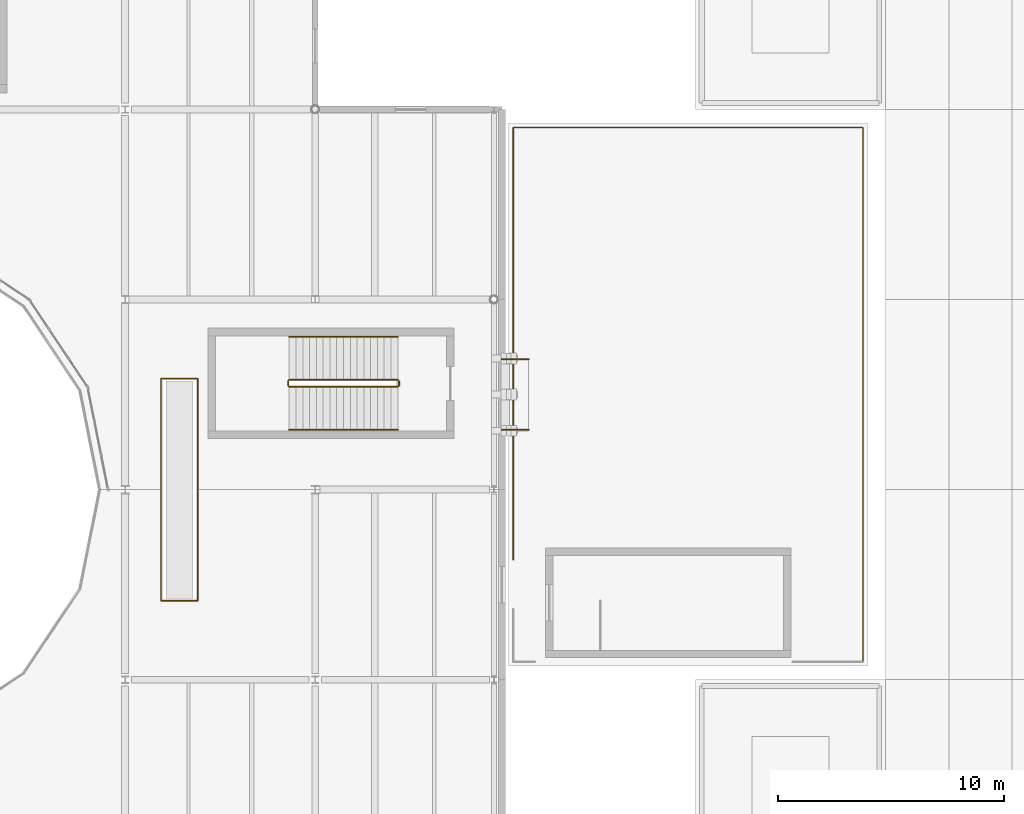
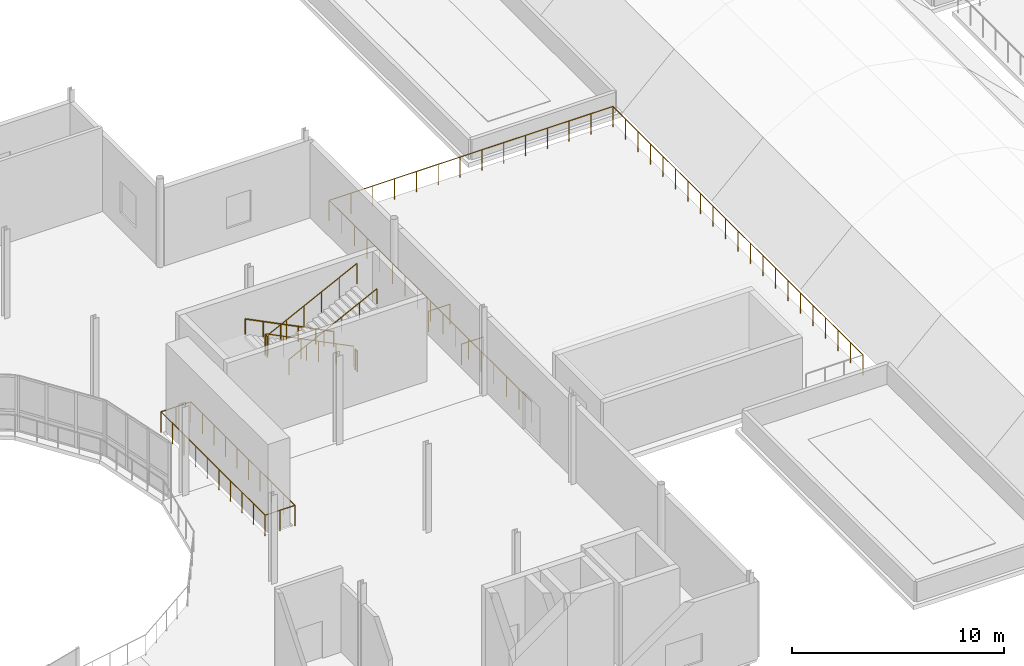
# One storey, part 81 of 91: 10 railings.
"""IFC4 building model written with IfcOpenShell, lengths in metres."""

from ifc_helpers import new_model, si_unit, direction, frame, origin, origin_2d, place, context, subcontext, project, spatial, circle, extrude, material, type_object, element, save


model = new_model("IFC4")

# Units and contexts
model_context = context("Model", 3, precision=1e-05, world=origin(), true_north=direction((0.0, 1.0)))
body_context = subcontext(model_context, "Body", "Model", "MODEL_VIEW")
ifc_project = project(units=[si_unit("LENGTHUNIT", "METRE"), si_unit("AREAUNIT", "SQUARE_METRE"), si_unit("VOLUMEUNIT", "CUBIC_METRE"), si_unit("PLANEANGLEUNIT", "RADIAN"), si_unit("MASSUNIT", "GRAM", prefix="KILO"), si_unit("THERMODYNAMICTEMPERATUREUNIT", "KELVIN")], contexts=[model_context])

# Site, building, storey
site_placement = place(None, origin())
site = spatial("IfcSite", under=ifc_project, at=site_placement, CompositionType="ELEMENT")
building_placement = place(site_placement, origin())
building = spatial("IfcBuilding", under=site, at=building_placement, Name="Lustrewick Department Store", CompositionType="ELEMENT")
storey_placement = place(building_placement, frame((0.0, 0.0, 21.60009765625)))
storey = spatial("IfcBuildingStorey", under=building, at=storey_placement, Name="L05", CompositionType="ELEMENT", Elevation=21.60009765625)

# Railings
ifc_material_1 = material(Name="Laminated safety glass and bronze atrium balustrade", Category="glass")
railing_type_1 = type_object("IfcRailingType", Name="RL-BAL", PredefinedType="BALUSTRADE", material=ifc_material_1)
railing_1_placement = place(storey_placement, frame((43.590087890625, 62.2900390625, 0.0)))
element("IfcRailing", 1, at=railing_1_placement, inside=storey, type_object=railing_type_1, Name="L05 V1 Escalator Well Balustrade 0047", PredefinedType="BALUSTRADE", context=body_context, shape_type="SweptSolid", body=[
    extrude(circle(Radius=0.02392578125, at=origin_2d()), frame((0.0, 0.0, 1.17578125), z_axis=(0.0, 1.0, 0.0), x_axis=(-1.0, 0.0, 0.0)), (0.0, 0.0, 1.0), 9.820068359375),
    extrude(circle(Radius=0.02392578125, at=origin_2d()), frame((0.0, 9.820068359375, 1.17578125), z_axis=(1.0, 0.0, 0.0), x_axis=(0.0, 1.0, 0.0)), (0.0, 0.0, 1.0), 1.619873046875),
    extrude(circle(Radius=0.02392578125, at=origin_2d()), frame((1.619873046875, 9.820068359375, 1.17578125), z_axis=(0.0, -1.0, 0.0), x_axis=(1.0, 0.0, 0.0)), (0.0, 0.0, 1.0), 9.820068359375),
    extrude(circle(Radius=0.02392578125, at=origin_2d()), frame((1.619873046875, 0.0, 1.17578125), z_axis=(-1.0, 0.0, 0.0), x_axis=(0.0, -1.0, 0.0)), (0.0, 0.0, 1.0), 1.619873046875),
    extrude(circle(Radius=0.02099609375, at=origin_2d()), origin(), (0.0, 0.0, 1.0), 1.15185546875),
    extrude(circle(Radius=0.02099609375, at=origin_2d()), frame((0.0, 1.091064453125, 0.0)), (0.0, 0.0, 1.0), 1.15185546875),
    extrude(circle(Radius=0.02099609375, at=origin_2d()), frame((0.0, 2.18212890625, 0.0)), (0.0, 0.0, 1.0), 1.15185546875),
    extrude(circle(Radius=0.02099609375, at=origin_2d()), frame((0.0, 3.2734375, 0.0)), (0.0, 0.0, 1.0), 1.15185546875),
    extrude(circle(Radius=0.02099609375, at=origin_2d()), frame((0.0, 4.364501953125, 0.0)), (0.0, 0.0, 1.0), 1.15185546875),
    extrude(circle(Radius=0.02099609375, at=origin_2d()), frame((0.0, 5.45556640625, 0.0)), (0.0, 0.0, 1.0), 1.15185546875),
    extrude(circle(Radius=0.02099609375, at=origin_2d()), frame((0.0, 6.546630859375, 0.0)), (0.0, 0.0, 1.0), 1.15185546875),
    extrude(circle(Radius=0.02099609375, at=origin_2d()), frame((0.0, 7.637939453125, 0.0)), (0.0, 0.0, 1.0), 1.15185546875),
    extrude(circle(Radius=0.02099609375, at=origin_2d()), frame((0.0, 8.72900390625, 0.0)), (0.0, 0.0, 1.0), 1.15185546875),
    extrude(circle(Radius=0.02099609375, at=origin_2d()), frame((0.0, 9.820068359375, 0.0)), (0.0, 0.0, 1.0), 1.15185546875),
    extrude(circle(Radius=0.02099609375, at=origin_2d()), frame((0.81005859375, 9.820068359375, 0.0)), (0.0, 0.0, 1.0), 1.15185546875),
    extrude(circle(Radius=0.02099609375, at=origin_2d()), frame((1.619873046875, 9.820068359375, 0.0)), (0.0, 0.0, 1.0), 1.15185546875),
    extrude(circle(Radius=0.02099609375, at=origin_2d()), frame((1.619873046875, 8.72900390625, 0.0)), (0.0, 0.0, 1.0), 1.15185546875),
    extrude(circle(Radius=0.02099609375, at=origin_2d()), frame((1.619873046875, 7.637939453125, 0.0)), (0.0, 0.0, 1.0), 1.15185546875),
    extrude(circle(Radius=0.02099609375, at=origin_2d()), frame((1.619873046875, 6.546630859375, 0.0)), (0.0, 0.0, 1.0), 1.15185546875),
    extrude(circle(Radius=0.02099609375, at=origin_2d()), frame((1.619873046875, 5.45556640625, 0.0)), (0.0, 0.0, 1.0), 1.15185546875),
    extrude(circle(Radius=0.02099609375, at=origin_2d()), frame((1.619873046875, 4.364501953125, 0.0)), (0.0, 0.0, 1.0), 1.15185546875),
    extrude(circle(Radius=0.02099609375, at=origin_2d()), frame((1.619873046875, 3.2734375, 0.0)), (0.0, 0.0, 1.0), 1.15185546875),
    extrude(circle(Radius=0.02099609375, at=origin_2d()), frame((1.619873046875, 2.18212890625, 0.0)), (0.0, 0.0, 1.0), 1.15185546875),
    extrude(circle(Radius=0.02099609375, at=origin_2d()), frame((1.619873046875, 1.091064453125, 0.0)), (0.0, 0.0, 1.0), 1.15185546875),
    extrude(circle(Radius=0.02099609375, at=origin_2d()), frame((1.619873046875, 0.0, 0.0)), (0.0, 0.0, 1.0), 1.15185546875),
    extrude(circle(Radius=0.02099609375, at=origin_2d()), frame((0.81005859375, 0.0, 0.0)), (0.0, 0.0, 1.0), 1.15185546875),
])
for number, where, name in (
    (2, (58.639892578125, 69.840087890625, 0.0), "L05 Skybridge SB12 South Guard 0048"),
    (3, (58.639892578125, 72.9599609375, 0.0), "L05 Skybridge SB12 North Guard 0049"),
):
    element("IfcRailing", number, at=place(storey_placement, frame(where)), inside=storey, type_object=railing_type_1, Name=name, PredefinedType="BALUSTRADE", context=body_context, shape_type="SweptSolid", body=[
        extrude(circle(Radius=0.02392578125, at=origin_2d()), frame((0.0, 0.0, 1.17578125), z_axis=(1.0, 0.0, 0.0), x_axis=(0.0, 1.0, 0.0)), (0.0, 0.0, 1.0), 1.190185546875),
        extrude(circle(Radius=0.02099609375, at=origin_2d()), origin(), (0.0, 0.0, 1.0), 1.15185546875),
        extrude(circle(Radius=0.02099609375, at=origin_2d()), frame((1.190185546875, 0.0, 0.0)), (0.0, 0.0, 1.0), 1.15185546875),
    ])
ifc_material_2 = material(Name="Laminated glass and anodized aluminium guardrail", Category="aluminium")
railing_type_2 = type_object("IfcRailingType", Name="RL-EXT", PredefinedType="GUARDRAIL", material=ifc_material_2)
railing_2_placement = place(storey_placement, frame((59.14990234375, 64.08935546875, 0.0)))
element("IfcRailing", 4, at=railing_2_placement, inside=storey, type_object=railing_type_2, Name="L05 Terrace Perimeter Guardrail 0008", PredefinedType="GUARDRAIL", context=body_context, shape_type="SweptSolid", body=[
    extrude(circle(Radius=0.02392578125, at=origin_2d()), frame((0.0, 0.0, 1.17578125), z_axis=(0.0, 1.0, 0.0), x_axis=(-1.0, 0.0, 0.0)), (0.0, 0.0, 1.0), 19.110595703125),
    extrude(circle(Radius=0.02392578125, at=origin_2d()), frame((0.0, 19.110595703125, 1.17578125), z_axis=(1.0, 0.0, 0.0), x_axis=(0.0, 1.0, 0.0)), (0.0, 0.0, 1.0), 15.4501953125),
    extrude(circle(Radius=0.02392578125, at=origin_2d()), frame((15.4501953125, 19.110595703125, 1.17578125), z_axis=(0.0, -1.0, 0.0), x_axis=(1.0, 0.0, 0.0)), (0.0, 0.0, 1.0), 23.599853515625),
    extrude(circle(Radius=0.02099609375, at=origin_2d()), origin(), (0.0, 0.0, 1.0), 1.15185546875),
    extrude(circle(Radius=0.02099609375, at=origin_2d()), frame((0.0, 1.1943359375, 0.0)), (0.0, 0.0, 1.0), 1.15185546875),
    extrude(circle(Radius=0.02099609375, at=origin_2d()), frame((0.0, 2.388916015625, 0.0)), (0.0, 0.0, 1.0), 1.15185546875),
    extrude(circle(Radius=0.02099609375, at=origin_2d()), frame((0.0, 3.583251953125, 0.0)), (0.0, 0.0, 1.0), 1.15185546875),
    extrude(circle(Radius=0.02099609375, at=origin_2d()), frame((0.0, 4.777587890625, 0.0)), (0.0, 0.0, 1.0), 1.15185546875),
    extrude(circle(Radius=0.02099609375, at=origin_2d()), frame((0.0, 5.97216796875, 0.0)), (0.0, 0.0, 1.0), 1.15185546875),
    extrude(circle(Radius=0.02099609375, at=origin_2d()), frame((0.0, 7.16650390625, 0.0)), (0.0, 0.0, 1.0), 1.15185546875),
    extrude(circle(Radius=0.02099609375, at=origin_2d()), frame((0.0, 8.36083984375, 0.0)), (0.0, 0.0, 1.0), 1.15185546875),
    extrude(circle(Radius=0.02099609375, at=origin_2d()), frame((0.0, 9.55517578125, 0.0)), (0.0, 0.0, 1.0), 1.15185546875),
    extrude(circle(Radius=0.02099609375, at=origin_2d()), frame((0.0, 10.749755859375, 0.0)), (0.0, 0.0, 1.0), 1.15185546875),
    extrude(circle(Radius=0.02099609375, at=origin_2d()), frame((0.0, 11.944091796875, 0.0)), (0.0, 0.0, 1.0), 1.15185546875),
    extrude(circle(Radius=0.02099609375, at=origin_2d()), frame((0.0, 13.138427734375, 0.0)), (0.0, 0.0, 1.0), 1.15185546875),
    extrude(circle(Radius=0.02099609375, at=origin_2d()), frame((0.0, 14.3330078125, 0.0)), (0.0, 0.0, 1.0), 1.15185546875),
    extrude(circle(Radius=0.02099609375, at=origin_2d()), frame((0.0, 15.52734375, 0.0)), (0.0, 0.0, 1.0), 1.15185546875),
    extrude(circle(Radius=0.02099609375, at=origin_2d()), frame((0.0, 16.7216796875, 0.0)), (0.0, 0.0, 1.0), 1.15185546875),
    extrude(circle(Radius=0.02099609375, at=origin_2d()), frame((0.0, 17.916259765625, 0.0)), (0.0, 0.0, 1.0), 1.15185546875),
    extrude(circle(Radius=0.02099609375, at=origin_2d()), frame((0.0, 19.110595703125, 0.0)), (0.0, 0.0, 1.0), 1.15185546875),
    extrude(circle(Radius=0.02099609375, at=origin_2d()), frame((1.1884765625, 19.110595703125, 0.0)), (0.0, 0.0, 1.0), 1.15185546875),
    extrude(circle(Radius=0.02099609375, at=origin_2d()), frame((2.376953125, 19.110595703125, 0.0)), (0.0, 0.0, 1.0), 1.15185546875),
    extrude(circle(Radius=0.02099609375, at=origin_2d()), frame((3.5654296875, 19.110595703125, 0.0)), (0.0, 0.0, 1.0), 1.15185546875),
    extrude(circle(Radius=0.02099609375, at=origin_2d()), frame((4.75390625, 19.110595703125, 0.0)), (0.0, 0.0, 1.0), 1.15185546875),
    extrude(circle(Radius=0.02099609375, at=origin_2d()), frame((5.9423828125, 19.110595703125, 0.0)), (0.0, 0.0, 1.0), 1.15185546875),
    extrude(circle(Radius=0.02099609375, at=origin_2d()), frame((7.130859375, 19.110595703125, 0.0)), (0.0, 0.0, 1.0), 1.15185546875),
    extrude(circle(Radius=0.02099609375, at=origin_2d()), frame((8.3193359375, 19.110595703125, 0.0)), (0.0, 0.0, 1.0), 1.15185546875),
    extrude(circle(Radius=0.02099609375, at=origin_2d()), frame((9.5078125, 19.110595703125, 0.0)), (0.0, 0.0, 1.0), 1.15185546875),
    extrude(circle(Radius=0.02099609375, at=origin_2d()), frame((10.6962890625, 19.110595703125, 0.0)), (0.0, 0.0, 1.0), 1.15185546875),
    extrude(circle(Radius=0.02099609375, at=origin_2d()), frame((11.884765625, 19.110595703125, 0.0)), (0.0, 0.0, 1.0), 1.15185546875),
    extrude(circle(Radius=0.02099609375, at=origin_2d()), frame((13.0732421875, 19.110595703125, 0.0)), (0.0, 0.0, 1.0), 1.15185546875),
    extrude(circle(Radius=0.02099609375, at=origin_2d()), frame((14.26171875, 19.110595703125, 0.0)), (0.0, 0.0, 1.0), 1.15185546875),
    extrude(circle(Radius=0.02099609375, at=origin_2d()), frame((15.4501953125, 19.110595703125, 0.0)), (0.0, 0.0, 1.0), 1.15185546875),
    extrude(circle(Radius=0.02099609375, at=origin_2d()), frame((15.4501953125, 17.9306640625, 0.0)), (0.0, 0.0, 1.0), 1.15185546875),
    extrude(circle(Radius=0.02099609375, at=origin_2d()), frame((15.4501953125, 16.75048828125, 0.0)), (0.0, 0.0, 1.0), 1.15185546875),
    extrude(circle(Radius=0.02099609375, at=origin_2d()), frame((15.4501953125, 15.570556640625, 0.0)), (0.0, 0.0, 1.0), 1.15185546875),
    extrude(circle(Radius=0.02099609375, at=origin_2d()), frame((15.4501953125, 14.390625, 0.0)), (0.0, 0.0, 1.0), 1.15185546875),
    extrude(circle(Radius=0.02099609375, at=origin_2d()), frame((15.4501953125, 13.210693359375, 0.0)), (0.0, 0.0, 1.0), 1.15185546875),
    extrude(circle(Radius=0.02099609375, at=origin_2d()), frame((15.4501953125, 12.03076171875, 0.0)), (0.0, 0.0, 1.0), 1.15185546875),
    extrude(circle(Radius=0.02099609375, at=origin_2d()), frame((15.4501953125, 10.8505859375, 0.0)), (0.0, 0.0, 1.0), 1.15185546875),
    extrude(circle(Radius=0.02099609375, at=origin_2d()), frame((15.4501953125, 9.670654296875, 0.0)), (0.0, 0.0, 1.0), 1.15185546875),
    extrude(circle(Radius=0.02099609375, at=origin_2d()), frame((15.4501953125, 8.49072265625, 0.0)), (0.0, 0.0, 1.0), 1.15185546875),
    extrude(circle(Radius=0.02099609375, at=origin_2d()), frame((15.4501953125, 7.310546875, 0.0)), (0.0, 0.0, 1.0), 1.15185546875),
    extrude(circle(Radius=0.02099609375, at=origin_2d()), frame((15.4501953125, 6.130615234375, 0.0)), (0.0, 0.0, 1.0), 1.15185546875),
    extrude(circle(Radius=0.02099609375, at=origin_2d()), frame((15.4501953125, 4.95068359375, 0.0)), (0.0, 0.0, 1.0), 1.15185546875),
    extrude(circle(Radius=0.02099609375, at=origin_2d()), frame((15.4501953125, 3.770751953125, 0.0)), (0.0, 0.0, 1.0), 1.15185546875),
    extrude(circle(Radius=0.02099609375, at=origin_2d()), frame((15.4501953125, 2.5908203125, 0.0)), (0.0, 0.0, 1.0), 1.15185546875),
    extrude(circle(Radius=0.02099609375, at=origin_2d()), frame((15.4501953125, 1.41064453125, 0.0)), (0.0, 0.0, 1.0), 1.15185546875),
    extrude(circle(Radius=0.02099609375, at=origin_2d()), frame((15.4501953125, 0.230712890625, 0.0)), (0.0, 0.0, 1.0), 1.15185546875),
    extrude(circle(Radius=0.02099609375, at=origin_2d()), frame((15.4501953125, -0.94921875, 0.0)), (0.0, 0.0, 1.0), 1.15185546875),
    extrude(circle(Radius=0.02099609375, at=origin_2d()), frame((15.4501953125, -2.12939453125, 0.0)), (0.0, 0.0, 1.0), 1.15185546875),
    extrude(circle(Radius=0.02099609375, at=origin_2d()), frame((15.4501953125, -3.309326171875, 0.0)), (0.0, 0.0, 1.0), 1.15185546875),
    extrude(circle(Radius=0.02099609375, at=origin_2d()), frame((15.4501953125, -4.4892578125, 0.0)), (0.0, 0.0, 1.0), 1.15185546875),
])
ifc_material_3 = material(Name="Painted tubular steel stairwell guardrail", Category="steel")
railing_type_3 = type_object("IfcRailingType", Name="RL-STG", PredefinedType="GUARDRAIL", material=ifc_material_3)
railing_3_placement = place(storey_placement, frame((54.050048828125, 72.050048828125, 0.14990234375)))
element("IfcRailing", 5, at=railing_3_placement, inside=storey, type_object=railing_type_3, Name="L05 ST02 Stair Guard 1", PredefinedType="GUARDRAIL", context=body_context, shape_type="SweptSolid", body=[
    extrude(circle(Radius=0.02392578125, at=origin_2d()), frame((0.0, 0.0, 1.17578125), z_axis=(-0.894436289399, 0.0, 0.44719539824), x_axis=(0.0, -1.0, 0.0)), (0.0, 0.0, 1.0), 5.366455078125),
    extrude(circle(Radius=0.02099609375, at=origin_2d()), origin(), (0.0, 0.0, 1.0), 1.15185546875),
    extrude(circle(Radius=0.02099609375, at=origin_2d()), frame((-0.9599609375, 0.0, 0.47998046875)), (0.0, 0.0, 1.0), 1.15185546875),
    extrude(circle(Radius=0.02099609375, at=origin_2d()), frame((-1.919921875, 0.0, 0.9599609375)), (0.0, 0.0, 1.0), 1.15185546875),
    extrude(circle(Radius=0.02099609375, at=origin_2d()), frame((-2.880126953125, 0.0, 1.43994140625)), (0.0, 0.0, 1.0), 1.15185546875),
    extrude(circle(Radius=0.02099609375, at=origin_2d()), frame((-3.840087890625, 0.0, 1.919921875)), (0.0, 0.0, 1.0), 1.15185546875),
    extrude(circle(Radius=0.02099609375, at=origin_2d()), frame((-4.800048828125, 0.0, 2.39990234375)), (0.0, 0.0, 1.0), 1.15185546875),
])
railing_4_placement = place(storey_placement, frame((49.199951171875, 72.0, 2.5498046875)))
element("IfcRailing", 6, at=railing_4_placement, inside=storey, type_object=railing_type_3, Name="L05 ST02 Stair Guard 2", PredefinedType="GUARDRAIL", context=body_context, shape_type="SweptSolid", body=[
    extrude(circle(Radius=0.02392578125, at=origin_2d()), frame((0.0, 0.0, 1.17578125), z_axis=(0.0, -1.0, 0.0), x_axis=(1.0, 0.0, 0.0)), (0.0, 0.0, 1.0), 0.199951171875),
    extrude(circle(Radius=0.02099609375, at=origin_2d()), origin(), (0.0, 0.0, 1.0), 1.15185546875),
    extrude(circle(Radius=0.02099609375, at=origin_2d()), frame((0.0, -0.199951171875, 0.0)), (0.0, 0.0, 1.0), 1.15185546875),
])
railing_5_placement = place(storey_placement, frame((49.25, 71.75, 2.699951171875)))
element("IfcRailing", 7, at=railing_5_placement, inside=storey, type_object=railing_type_3, Name="L05 ST02 Stair Guard 3", PredefinedType="GUARDRAIL", context=body_context, shape_type="SweptSolid", body=[
    extrude(circle(Radius=0.02392578125, at=origin_2d()), frame((0.0, 0.0, 1.17578125), z_axis=(0.894436289399, 0.0, 0.44719539824), x_axis=(0.0, 1.0, 0.0)), (0.0, 0.0, 1.0), 5.366455078125),
    extrude(circle(Radius=0.02099609375, at=origin_2d()), origin(), (0.0, 0.0, 1.0), 1.15185546875),
    extrude(circle(Radius=0.02099609375, at=origin_2d()), frame((0.9599609375, 0.0, 0.47998046875)), (0.0, 0.0, 1.0), 1.15185546875),
    extrude(circle(Radius=0.02099609375, at=origin_2d()), frame((1.919921875, 0.0, 0.9599609375)), (0.0, 0.0, 1.0), 1.15185546875),
    extrude(circle(Radius=0.02099609375, at=origin_2d()), frame((2.880126953125, 0.0, 1.43994140625)), (0.0, 0.0, 1.0), 1.15185546875),
    extrude(circle(Radius=0.02099609375, at=origin_2d()), frame((3.840087890625, 0.0, 1.919921875)), (0.0, 0.0, 1.0), 1.15185546875),
    extrude(circle(Radius=0.02099609375, at=origin_2d()), frame((4.800048828125, 0.0, 2.39990234375)), (0.0, 0.0, 1.0), 1.15185546875),
])
railing_6_placement = place(storey_placement, frame((54.10009765625, 72.0, 0.0)))
element("IfcRailing", 8, at=railing_6_placement, inside=storey, type_object=railing_type_3, Name="L05 ST02 Stair Guard 4", PredefinedType="GUARDRAIL", context=body_context, shape_type="SweptSolid", body=[
    extrude(circle(Radius=0.02392578125, at=origin_2d()), frame((0.0, 0.0, 1.17578125), z_axis=(0.0, -1.0, 0.0), x_axis=(1.0, 0.0, 0.0)), (0.0, 0.0, 1.0), 0.199951171875),
    extrude(circle(Radius=0.02099609375, at=origin_2d()), origin(), (0.0, 0.0, 1.0), 1.15185546875),
    extrude(circle(Radius=0.02099609375, at=origin_2d()), frame((0.0, -0.199951171875, 0.0)), (0.0, 0.0, 1.0), 1.15185546875),
])
ifc_material_4 = material(Name="Brushed stainless steel wall handrail", Category="steel")
railing_type_4 = type_object("IfcRailingType", Name="RL-STH", PredefinedType="HANDRAIL", material=ifc_material_4)
railing_7_placement = place(storey_placement, frame((54.050048828125, 73.949951171875, 0.14990234375)))
element("IfcRailing", 9, at=railing_7_placement, inside=storey, type_object=railing_type_4, Name="L05 ST02 Stair Handrail 1", PredefinedType="HANDRAIL", context=body_context, shape_type="SweptSolid", body=[
    extrude(circle(Radius=0.02392578125, at=origin_2d()), frame((0.0, 0.0, 0.8759765625), z_axis=(-0.894436289399, 0.0, 0.44719539824), x_axis=(0.0, -1.0, 0.0)), (0.0, 0.0, 1.0), 5.366455078125),
    extrude(circle(Radius=0.02099609375, at=origin_2d()), origin(), (0.0, 0.0, 1.0), 0.851806640625),
    extrude(circle(Radius=0.02099609375, at=origin_2d()), frame((-0.9599609375, 0.0, 0.47998046875)), (0.0, 0.0, 1.0), 0.851806640625),
    extrude(circle(Radius=0.02099609375, at=origin_2d()), frame((-1.919921875, 0.0, 0.9599609375)), (0.0, 0.0, 1.0), 0.851806640625),
    extrude(circle(Radius=0.02099609375, at=origin_2d()), frame((-2.880126953125, 0.0, 1.43994140625)), (0.0, 0.0, 1.0), 0.851806640625),
    extrude(circle(Radius=0.02099609375, at=origin_2d()), frame((-3.840087890625, 0.0, 1.919921875)), (0.0, 0.0, 1.0), 0.851806640625),
    extrude(circle(Radius=0.02099609375, at=origin_2d()), frame((-4.800048828125, 0.0, 2.39990234375)), (0.0, 0.0, 1.0), 0.851806640625),
])
railing_8_placement = place(storey_placement, frame((49.25, 69.85009765625, 2.699951171875)))
element("IfcRailing", 10, at=railing_8_placement, inside=storey, type_object=railing_type_4, Name="L05 ST02 Stair Handrail 2", PredefinedType="HANDRAIL", context=body_context, shape_type="SweptSolid", body=[
    extrude(circle(Radius=0.02392578125, at=origin_2d()), frame((0.0, 0.0, 0.8759765625), z_axis=(0.894436289399, 0.0, 0.44719539824), x_axis=(0.0, 1.0, 0.0)), (0.0, 0.0, 1.0), 5.366455078125),
    extrude(circle(Radius=0.02099609375, at=origin_2d()), origin(), (0.0, 0.0, 1.0), 0.851806640625),
    extrude(circle(Radius=0.02099609375, at=origin_2d()), frame((0.9599609375, 0.0, 0.47998046875)), (0.0, 0.0, 1.0), 0.851806640625),
    extrude(circle(Radius=0.02099609375, at=origin_2d()), frame((1.919921875, 0.0, 0.9599609375)), (0.0, 0.0, 1.0), 0.851806640625),
    extrude(circle(Radius=0.02099609375, at=origin_2d()), frame((2.880126953125, 0.0, 1.43994140625)), (0.0, 0.0, 1.0), 0.851806640625),
    extrude(circle(Radius=0.02099609375, at=origin_2d()), frame((3.840087890625, 0.0, 1.919921875)), (0.0, 0.0, 1.0), 0.851806640625),
    extrude(circle(Radius=0.02099609375, at=origin_2d()), frame((4.800048828125, 0.0, 2.39990234375)), (0.0, 0.0, 1.0), 0.851806640625),
])

save(model, "model.ifc")
